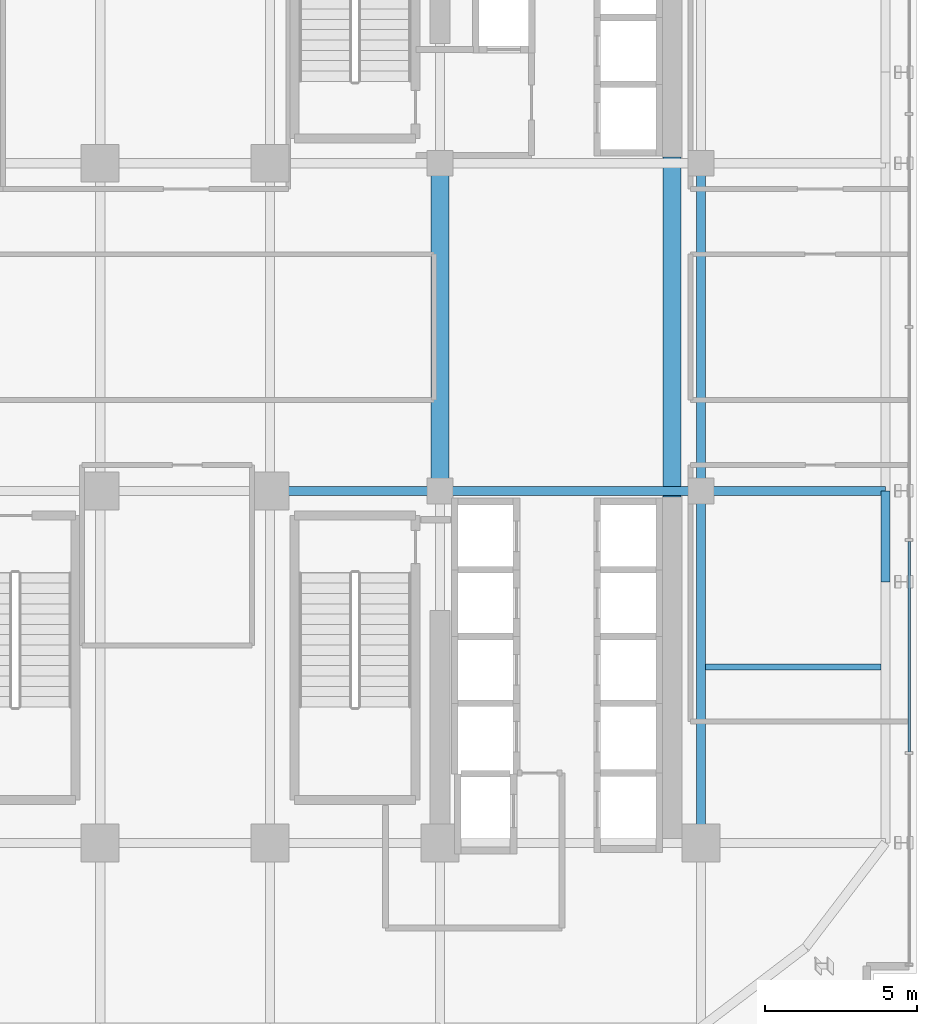
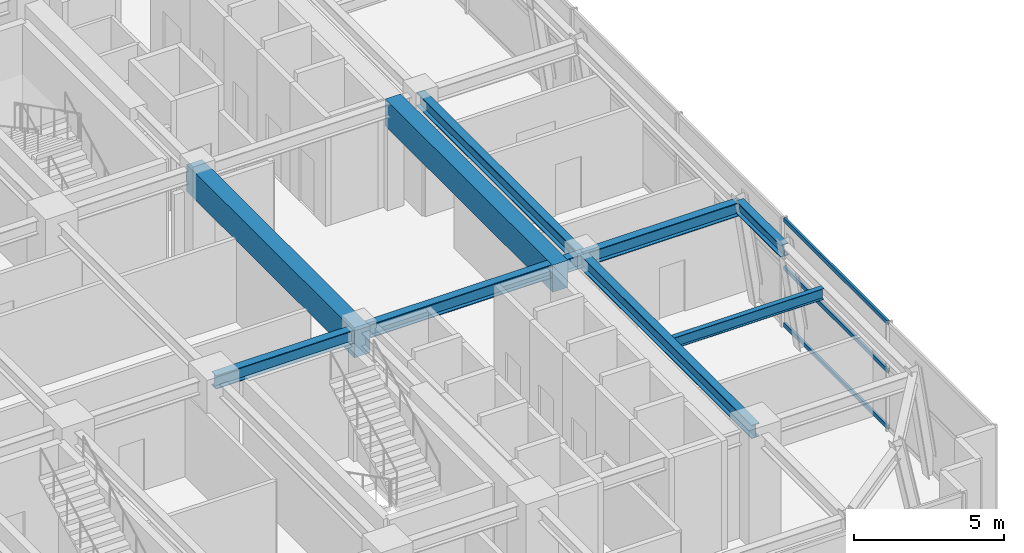
# One storey, part 10 of 26: 9 beams, 3 members, 1 element without a shape of its own.
"""IFC4 building model written with IfcOpenShell, lengths in metres."""

from ifc_helpers import new_model, si_unit, direction, frame, origin, origin_2d, place, context, subcontext, project, spatial, rectangle, hollow_rectangle, i_section, extrude, source, transform, mapped, material, material_profile, profile_set, type_object, element, aggregate, save


model = new_model("IFC4")

# Units and contexts
model_context = context("Model", 3, precision=1e-05, world=origin(), true_north=direction((0.0, 1.0)))
body_context = subcontext(model_context, "Body", "Model", "MODEL_VIEW")
ifc_project = project(units=[si_unit("LENGTHUNIT", "METRE"), si_unit("AREAUNIT", "SQUARE_METRE"), si_unit("VOLUMEUNIT", "CUBIC_METRE"), si_unit("PLANEANGLEUNIT", "RADIAN"), si_unit("MASSUNIT", "GRAM", prefix="KILO")], contexts=[model_context])

# Site, building, storey
site_placement = place(None, origin())
site = spatial("IfcSite", under=ifc_project, at=site_placement, CompositionType="ELEMENT")
building_placement = place(site_placement, origin())
building = spatial("IfcBuilding", under=site, at=building_placement, Name="Nahalor Promenade Grand Hotel", CompositionType="ELEMENT")
storey_placement = place(building_placement, frame((0.0, 0.0, 139.39990234375)))
storey = spatial("IfcBuildingStorey", under=building, at=storey_placement, Name="L35", CompositionType="ELEMENT", Elevation=139.39990234375)

# Beams
ifc_material_1 = material(Name="Concrete B-60 (C50/60)", Category="concrete")
ifc_material_profile_1 = material_profile(ifc_material_1, rectangle(XDim=0.6, YDim=1.1, at=origin_2d()), Name="RC 600x1100")
ifc_profile_set_1 = profile_set([ifc_material_profile_1], Name="Concrete B-60 (C50/60)")
beam_type_1 = type_object("IfcBeamType", Name="Beam-Lintel-RC1100", PredefinedType="LINTEL", material=ifc_profile_set_1)
shared_shape_1 = source(origin(), body_context, "Body", "SweptSolid", [
    extrude(rectangle(XDim=0.6, YDim=1.1, at=origin_2d()), origin(), (0.0, 0.0, 1.0), 11.2001953125),
])
for number, where, z_axis, x_axis, name in (
    (1, (8.39990234375, -5.60009765625, 3.89013671875), (0.0, 1.0, 0.0), (-1.0, 0.0, 0.0), "BM-L35-LINT-W"),
    (2, (16.050048828125, -5.60009765625, 3.89013671875), (0.0, 1.0, 0.0), (-1.0, 0.0, 0.0), "BM-L35-LINT-E"),
):
    element("IfcBeam", number, at=place(storey_placement, frame(where, z_axis=z_axis, x_axis=x_axis)), inside=storey, type_object=beam_type_1, Name=name, PredefinedType="LINTEL", context=body_context, shape_type="MappedRepresentation", body=[
        mapped(shared_shape_1, transform((0.0, 0.0, 0.0), scale=1.0)),
    ])
ifc_material_2 = material(Name="Steel S355JR", Category="steel")
ifc_material_profile_2 = material_profile(ifc_material_2, i_section(OverallWidth=0.3, OverallDepth=0.5, WebThickness=0.0145, FlangeThickness=0.028, at=origin_2d()), Name="HEB 500")
ifc_profile_set_2 = profile_set([ifc_material_profile_2], Name="Steel S355JR")
beam_type_2 = type_object("IfcBeamType", Name="Beam-Spandrel-HEB500", PredefinedType="SPANDREL", material=ifc_profile_set_2)
shared_shape_2 = source(origin(), body_context, "Body", "SweptSolid", [
    extrude(i_section(OverallWidth=0.3, OverallDepth=0.5, WebThickness=0.0145, FlangeThickness=0.028, at=origin_2d()), origin(), (0.0, 0.0, 1.0), 3.0),
])
beam_1_placement = place(storey_placement, frame((23.080078125, -8.39990234375, 4.190185546875), z_axis=(0.0, 1.0, 0.0), x_axis=(-1.0, 0.0, 0.0)))
element("IfcBeam", 3, at=beam_1_placement, inside=storey, type_object=beam_type_2, Name="BM-L35-SP-E-1", PredefinedType="SPANDREL", context=body_context, shape_type="MappedRepresentation", body=[
    mapped(shared_shape_2, transform((0.0, 0.0, 0.0), scale=1.0)),
])
ifc_material_profile_3 = material_profile(ifc_material_2, i_section(OverallWidth=0.3, OverallDepth=0.55, WebThickness=0.015, FlangeThickness=0.029, at=origin_2d()), Name="HEB 550")
ifc_profile_set_3 = profile_set([ifc_material_profile_3], Name="Steel S355JR")
beam_type_3 = type_object("IfcBeamType", Name="Beam-Girder-HEB550", PredefinedType="BEAM", material=ifc_profile_set_3)
shared_shape_3 = source(origin(), body_context, "Body", "SweptSolid", [
    extrude(i_section(OverallWidth=0.3, OverallDepth=0.55, WebThickness=0.015, FlangeThickness=0.029, at=origin_2d()), origin(), (0.0, 0.0, 1.0), 8.60009765625),
])
beam_2_placement = place(storey_placement, frame((8.39990234375, -5.39990234375, 4.1650390625), z_axis=(1.0, 0.0, 0.0), x_axis=(0.0, 1.0, 0.0)))
element("IfcBeam", 4, at=beam_2_placement, inside=storey, type_object=beam_type_3, Name="BM-L35-GX-1-5", PredefinedType="BEAM", context=body_context, shape_type="MappedRepresentation", body=[
    mapped(shared_shape_3, transform((0.0, 0.0, 0.0), scale=1.0)),
])
shared_shape_4 = source(origin(), body_context, "Body", "SweptSolid", [
    extrude(i_section(OverallWidth=0.3, OverallDepth=0.55, WebThickness=0.015, FlangeThickness=0.029, at=origin_2d()), origin(), (0.0, 0.0, 1.0), 5.599853515625),
])
beam_3_placement = place(storey_placement, frame((2.800048828125, -5.39990234375, 4.1650390625), z_axis=(1.0, 0.0, 0.0), x_axis=(0.0, 1.0, 0.0)))
element("IfcBeam", 5, at=beam_3_placement, inside=storey, type_object=beam_type_3, Name="BM-L35-GX-1-4", PredefinedType="BEAM", context=body_context, shape_type="MappedRepresentation", body=[
    mapped(shared_shape_4, transform((0.0, 0.0, 0.0), scale=1.0)),
])
shared_shape_5 = source(origin(), body_context, "Body", "SweptSolid", [
    extrude(i_section(OverallWidth=0.3, OverallDepth=0.55, WebThickness=0.015, FlangeThickness=0.029, at=origin_2d()), origin(), (0.0, 0.0, 1.0), 11.60009765625),
])
beam_4_placement = place(storey_placement, frame((17.0, -17.0, 4.1650390625), z_axis=(0.0, 1.0, 0.0), x_axis=(-1.0, 0.0, 0.0)))
element("IfcBeam", 6, at=beam_4_placement, inside=storey, type_object=beam_type_3, Name="BM-L35-GY-5-1", PredefinedType="BEAM", context=body_context, shape_type="MappedRepresentation", body=[
    mapped(shared_shape_5, transform((0.0, 0.0, 0.0), scale=1.0)),
])
shared_shape_6 = source(origin(), body_context, "Body", "SweptSolid", [
    extrude(i_section(OverallWidth=0.3, OverallDepth=0.55, WebThickness=0.015, FlangeThickness=0.029, at=origin_2d()), origin(), (0.0, 0.0, 1.0), 10.7998046875),
])
beam_5_placement = place(storey_placement, frame((17.0, -5.39990234375, 4.1650390625), z_axis=(0.0, 1.0, 0.0), x_axis=(-1.0, 0.0, 0.0)))
element("IfcBeam", 7, at=beam_5_placement, inside=storey, type_object=beam_type_3, Name="BM-L35-GY-5-2", PredefinedType="BEAM", context=body_context, shape_type="MappedRepresentation", body=[
    mapped(shared_shape_6, transform((0.0, 0.0, 0.0), scale=1.0)),
])
shared_shape_7 = source(origin(), body_context, "Body", "SweptSolid", [
    extrude(i_section(OverallWidth=0.3, OverallDepth=0.55, WebThickness=0.015, FlangeThickness=0.029, at=origin_2d()), origin(), (0.0, 0.0, 1.0), 6.080078125),
])
beam_6_placement = place(storey_placement, frame((17.0, -5.39990234375, 4.1650390625), z_axis=(1.0, 0.0, 0.0), x_axis=(0.0, 1.0, 0.0)))
element("IfcBeam", 8, at=beam_6_placement, inside=storey, type_object=beam_type_3, Name="BM-L35-GX-1-6", PredefinedType="BEAM", context=body_context, shape_type="MappedRepresentation", body=[
    mapped(shared_shape_7, transform((0.0, 0.0, 0.0), scale=1.0)),
])
ifc_material_profile_4 = material_profile(ifc_material_2, i_section(OverallWidth=0.19, OverallDepth=0.45, WebThickness=0.0094, FlangeThickness=0.0146, at=origin_2d()), Name="IPE 450")
ifc_profile_set_4 = profile_set([ifc_material_profile_4], Name="Steel S355JR")
beam_type_4 = type_object("IfcBeamType", Name="Beam-Joist-IPE450", PredefinedType="JOIST", material=ifc_profile_set_4)
shared_shape_8 = source(origin(), body_context, "Body", "SweptSolid", [
    extrude(i_section(OverallWidth=0.19, OverallDepth=0.45, WebThickness=0.0094, FlangeThickness=0.0146, at=origin_2d()), origin(), (0.0, 0.0, 1.0), 5.780029296875),
])
beam_7_placement = place(storey_placement, frame((17.14990234375, -11.199951171875, 4.215087890625), z_axis=(1.0, 0.0, 0.0), x_axis=(0.0, 1.0, 0.0)))
element("IfcBeam", 9, at=beam_7_placement, inside=storey, type_object=beam_type_4, Name="BM-L35-JSE-0-2", PredefinedType="JOIST", context=body_context, shape_type="MappedRepresentation", body=[
    mapped(shared_shape_8, transform((0.0, 0.0, 0.0), scale=1.0)),
])

# Curtain wall, members
ifc_material_3 = material(Name="Anodised Bronze Aluminium EN AW-6063 T6", Category="aluminium")
curtain_wall_type = type_object("IfcCurtainWallType", Name="CW5 Sky-Lobby & Observation Panoramic Curtain Wall", PredefinedType="USERDEFINED", material=ifc_material_3)
curtain_wall_placement = place(storey_placement, origin())
curtain_wall = element("IfcCurtainWall", 10, at=curtain_wall_placement, inside=storey, type_object=curtain_wall_type, Name="L35 Curtain Wall CW-L35-E-1", ObjectType="UNITISED_CURTAIN_WALL", PredefinedType="USERDEFINED")
ifc_material_profile_5 = material_profile(ifc_material_3, hollow_rectangle(XDim=0.085, YDim=0.17, WallThickness=0.005, at=origin_2d()), Name="CWT 85x170x5")
ifc_profile_set_5 = profile_set([ifc_material_profile_5], Name="Anodised Bronze Aluminium EN AW-6063 T6")
member_type = type_object("IfcMemberType", Name="CWT5 Panoramic Transom 85x170", PredefinedType="USERDEFINED", material=ifc_profile_set_5)
shared_shape_9 = source(origin(), body_context, "Body", "SweptSolid", [
    extrude(hollow_rectangle(XDim=0.085, YDim=0.17, WallThickness=0.005, at=origin_2d()), origin(), (0.0, 0.0, 1.0), 6.93505859375),
])
member_1_placement = place(storey_placement, frame((23.860107421875, -13.99755859375, 0.085205078125), z_axis=(0.0, 1.0, 0.0), x_axis=(-1.0, 0.0, 0.0)))
member_1 = element("IfcMember", 11, at=member_1_placement, type_object=member_type, Name="CW-L35-E-1 Transom 1-0", ObjectType="TRANSOM", PredefinedType="USERDEFINED", context=body_context, shape_type="MappedRepresentation", body=[
    mapped(shared_shape_9, transform((0.0, 0.0, 0.0), scale=1.0)),
])
member_2_placement = place(storey_placement, frame((23.860107421875, -13.99755859375, 2.400146484375), z_axis=(0.0, 1.0, 0.0), x_axis=(-1.0, 0.0, 0.0)))
member_2 = element("IfcMember", 12, at=member_2_placement, type_object=member_type, Name="CW-L35-E-1 Transom 1-1", ObjectType="TRANSOM", PredefinedType="USERDEFINED", context=body_context, shape_type="MappedRepresentation", body=[
    mapped(shared_shape_9, transform((0.0, 0.0, 0.0), scale=1.0)),
])
member_3_placement = place(storey_placement, frame((23.860107421875, -13.99755859375, 4.35498046875), z_axis=(0.0, 1.0, 0.0), x_axis=(-1.0, 0.0, 0.0)))
member_3 = element("IfcMember", 13, at=member_3_placement, type_object=member_type, Name="CW-L35-E-1 Transom 1-2", ObjectType="TRANSOM", PredefinedType="USERDEFINED", context=body_context, shape_type="MappedRepresentation", body=[
    mapped(shared_shape_9, transform((0.0, 0.0, 0.0), scale=1.0)),
])
aggregate(curtain_wall, [member_1, member_2, member_3])

save(model, "model.ifc")
